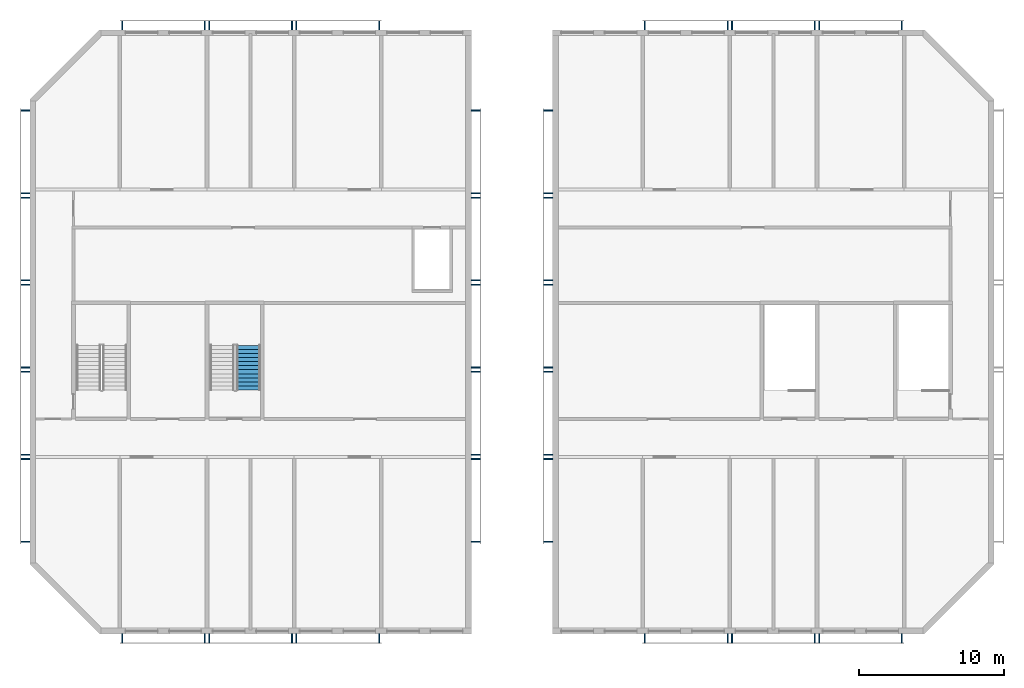
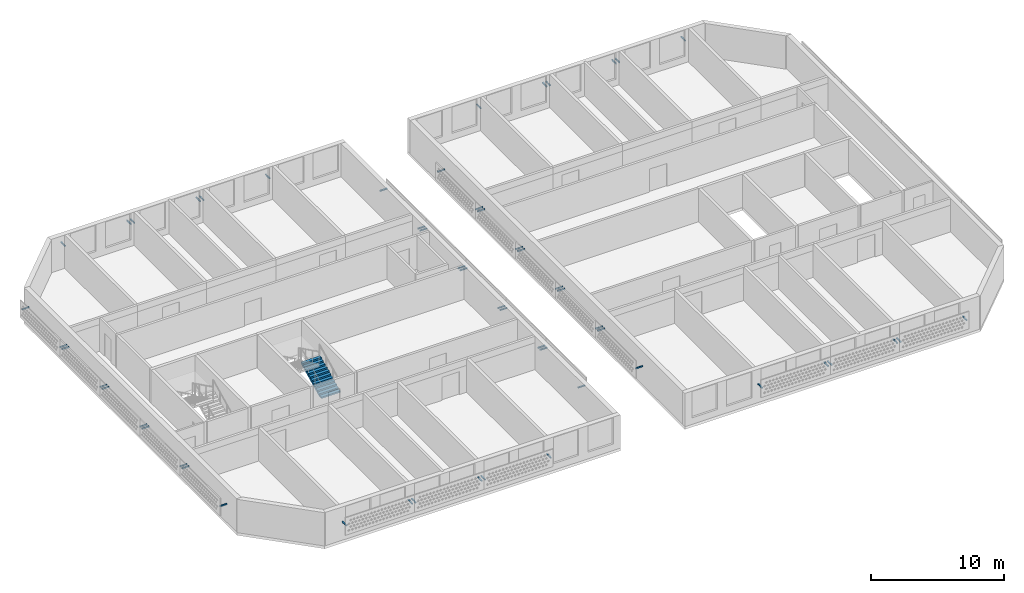
# One storey, part 5 of 16: 54 discrete accessories, 1 stair flight, 1 element without a shape of its own.
"""IFC4 building model written with IfcOpenShell, lengths in metres."""

from ifc_helpers import new_model, si_unit, direction, frame, origin, origin_2d, place, context, subcontext, project, spatial, polyline, rectangle, outline, extrude, source, transform, mapped, material, layer, layer_set, material_profile, profile_set, type_object, element, aggregate, save


model = new_model("IFC4")

# Units and contexts
model_context = context("Model", 3, precision=1e-05, world=origin(), true_north=direction((0.0, 1.0)))
body_context = subcontext(model_context, "Body", "Model", "MODEL_VIEW")
ifc_project = project(units=[si_unit("LENGTHUNIT", "METRE"), si_unit("AREAUNIT", "SQUARE_METRE"), si_unit("VOLUMEUNIT", "CUBIC_METRE"), si_unit("PLANEANGLEUNIT", "RADIAN"), si_unit("MASSUNIT", "GRAM", prefix="KILO")], contexts=[model_context])

# Site, building, storey
site_placement = place(None, origin())
site = spatial("IfcSite", under=ifc_project, at=site_placement, CompositionType="ELEMENT")
building_placement = place(site_placement, origin())
building = spatial("IfcBuilding", under=site, at=building_placement, Name="Poui Terraces", CompositionType="ELEMENT")
storey_placement = place(building_placement, frame((0.0, 0.0, 282.300048828125)))
storey = spatial("IfcBuildingStorey", under=building, at=storey_placement, Name="L78 CROWN", CompositionType="ELEMENT", Elevation=282.300048828125)

# Stair, stair flight
ifc_material_1 = material(Name="Concrete 50 MPa", Category="concrete")
stair_type = type_object("IfcStairType", Name="EXIT STAIR 1650 50 MPA", PredefinedType="HALF_TURN_STAIR", material=ifc_material_1)
stair_placement = place(storey_placement, origin())
stair = element("IfcStair", 1, at=stair_placement, inside=storey, type_object=stair_type, Name="L78 CROWN CORE STAIR WEST", PredefinedType="HALF_TURN_STAIR")
ifc_layer = layer(ifc_material_1, 0.14990234375)
ifc_layer_set = layer_set([ifc_layer], Name="Concrete 50 MPa")
stair_flight_type = type_object("IfcStairFlightType", Name="STAIR FLIGHT 12 RISERS 138 RISE 50 MPA", PredefinedType="STRAIGHT", material=ifc_layer_set)
stair_flight_placement = place(storey_placement, frame((32.85009765625, 16.60009765625, 0.0), z_axis=(0.0, 0.0, 1.0), x_axis=(0.0, 1.0, 0.0)))
stair_flight = element("IfcStairFlight", 2, at=stair_flight_placement, type_object=stair_flight_type, Name="ST-CW flight 1", NumberOfRisers=12, NumberOfTreads=11, PredefinedType="STRAIGHT", RiserHeight=0.1375, TreadLength=0.28, context=body_context, shape_type="SweptSolid", body=[
    extrude(outline(polyline([(0.0, 0.0), (0.0, 0.137451171875), (0.280029296875, 0.137451171875), (0.280029296875, 0.27490234375), (0.56005859375, 0.27490234375), (0.56005859375, 0.41259765625), (0.840087890625, 0.41259765625), (0.840087890625, 0.550048828125), (1.1201171875, 0.550048828125), (1.1201171875, 0.6875), (1.39990234375, 0.6875), (1.39990234375, 0.824951171875), (1.679931640625, 0.824951171875), (1.679931640625, 0.96240234375), (1.9599609375, 0.96240234375), (1.9599609375, 1.10009765625), (2.239990234375, 1.10009765625), (2.239990234375, 1.237548828125), (2.52001953125, 1.237548828125), (2.52001953125, 1.375), (2.800048828125, 1.375), (2.800048828125, 1.512451171875), (3.080078125, 1.512451171875), (3.080078125, 1.64990234375), (3.080078125, 1.345458984375), (0.340087890625, 0.0), (0.0, 0.0)])), frame((0.0, 0.824951171875, 0.0), z_axis=(0.0, -1.0, 0.0), x_axis=(1.0, 0.0, 0.0)), (0.0, 0.0, 1.0), 1.64990234375),
])
aggregate(stair, [stair_flight])

# Discrete accessories
ifc_material_2 = material(Name="Galvanised steel", Category="steel")
ifc_material_profile = material_profile(ifc_material_2, rectangle(XDim=0.080078125, YDim=0.080078125, at=origin_2d()), Name="SCREEN BRACKET 80")
ifc_profile_set = profile_set([ifc_material_profile], Name="Galvanised steel")
discrete_accessory_type = type_object("IfcDiscreteAccessoryType", Name="SCREEN BRACKET 80", PredefinedType="BRACKET", material=ifc_profile_set)
shared_shape = source(origin(), body_context, "Body", "SweptSolid", [
    extrude(rectangle(XDim=0.080078125, YDim=0.080078125, at=origin_2d()), origin(), (0.0, 0.0, 1.0), 0.60009765625),
])
for number, where, z_axis, x_axis, name in (
    (3, (24.14990234375, -0.199951171875, 1.699951171875), (0.0, -1.0, 0.0), (1.0, 0.0, 0.0), "SCREEN BRACKET"),
    (4, (29.85009765625, -0.199951171875, 1.699951171875), (0.0, -1.0, 0.0), (1.0, 0.0, 0.0), "SCREEN BRACKET"),
    (5, (30.14990234375, -0.199951171875, 1.699951171875), (0.0, -1.0, 0.0), (1.0, 0.0, 0.0), "SCREEN BRACKET"),
    (6, (35.85009765625, -0.199951171875, 1.699951171875), (0.0, -1.0, 0.0), (1.0, 0.0, 0.0), "SCREEN BRACKET"),
    (7, (36.14990234375, -0.199951171875, 1.699951171875), (0.0, -1.0, 0.0), (1.0, 0.0, 0.0), "SCREEN BRACKET"),
    (8, (41.85009765625, -0.199951171875, 1.699951171875), (0.0, -1.0, 0.0), (1.0, 0.0, 0.0), "SCREEN BRACKET"),
    (9, (48.199951171875, 6.14990234375, 1.699951171875), (1.0, 0.0, 0.0), (0.0, 1.0, 0.0), "SCREEN BRACKET"),
    (10, (48.199951171875, 11.85009765625, 1.699951171875), (1.0, 0.0, 0.0), (0.0, 1.0, 0.0), "SCREEN BRACKET"),
    (11, (48.199951171875, 12.14990234375, 1.699951171875), (1.0, 0.0, 0.0), (0.0, 1.0, 0.0), "SCREEN BRACKET"),
    (12, (48.199951171875, 17.85009765625, 1.699951171875), (1.0, 0.0, 0.0), (0.0, 1.0, 0.0), "SCREEN BRACKET"),
    (13, (48.199951171875, 18.14990234375, 1.699951171875), (1.0, 0.0, 0.0), (0.0, 1.0, 0.0), "SCREEN BRACKET"),
    (14, (48.199951171875, 23.85009765625, 1.699951171875), (1.0, 0.0, 0.0), (0.0, 1.0, 0.0), "SCREEN BRACKET"),
    (15, (48.199951171875, 24.14990234375, 1.699951171875), (1.0, 0.0, 0.0), (0.0, 1.0, 0.0), "SCREEN BRACKET"),
    (16, (48.199951171875, 29.85009765625, 1.699951171875), (1.0, 0.0, 0.0), (0.0, 1.0, 0.0), "SCREEN BRACKET"),
    (17, (48.199951171875, 30.14990234375, 1.699951171875), (1.0, 0.0, 0.0), (0.0, 1.0, 0.0), "SCREEN BRACKET"),
    (18, (48.199951171875, 35.85009765625, 1.699951171875), (1.0, 0.0, 0.0), (0.0, 1.0, 0.0), "SCREEN BRACKET"),
    (19, (29.85009765625, 41.39990234375, 1.699951171875), (0.0, 1.0, 0.0), (-1.0, 0.0, 0.0), "SCREEN BRACKET"),
    (20, (24.14990234375, 41.39990234375, 1.699951171875), (0.0, 1.0, 0.0), (-1.0, 0.0, 0.0), "SCREEN BRACKET"),
    (21, (35.85009765625, 41.39990234375, 1.699951171875), (0.0, 1.0, 0.0), (-1.0, 0.0, 0.0), "SCREEN BRACKET"),
    (22, (30.14990234375, 41.39990234375, 1.699951171875), (0.0, 1.0, 0.0), (-1.0, 0.0, 0.0), "SCREEN BRACKET"),
    (23, (41.85009765625, 41.39990234375, 1.699951171875), (0.0, 1.0, 0.0), (-1.0, 0.0, 0.0), "SCREEN BRACKET"),
    (24, (36.14990234375, 41.39990234375, 1.699951171875), (0.0, 1.0, 0.0), (-1.0, 0.0, 0.0), "SCREEN BRACKET"),
    (25, (17.800048828125, 11.85009765625, 1.699951171875), (-1.0, 0.0, 0.0), (0.0, -1.0, 0.0), "SCREEN BRACKET"),
    (26, (17.800048828125, 6.14990234375, 1.699951171875), (-1.0, 0.0, 0.0), (0.0, -1.0, 0.0), "SCREEN BRACKET"),
    (27, (17.800048828125, 17.85009765625, 1.699951171875), (-1.0, 0.0, 0.0), (0.0, -1.0, 0.0), "SCREEN BRACKET"),
    (28, (17.800048828125, 12.14990234375, 1.699951171875), (-1.0, 0.0, 0.0), (0.0, -1.0, 0.0), "SCREEN BRACKET"),
    (29, (17.800048828125, 23.85009765625, 1.699951171875), (-1.0, 0.0, 0.0), (0.0, -1.0, 0.0), "SCREEN BRACKET"),
    (30, (17.800048828125, 18.14990234375, 1.699951171875), (-1.0, 0.0, 0.0), (0.0, -1.0, 0.0), "SCREEN BRACKET"),
    (31, (17.800048828125, 29.85009765625, 1.699951171875), (-1.0, 0.0, 0.0), (0.0, -1.0, 0.0), "SCREEN BRACKET"),
    (32, (17.800048828125, 24.14990234375, 1.699951171875), (-1.0, 0.0, 0.0), (0.0, -1.0, 0.0), "SCREEN BRACKET"),
    (33, (17.800048828125, 35.85009765625, 1.699951171875), (-1.0, 0.0, 0.0), (0.0, -1.0, 0.0), "SCREEN BRACKET"),
    (34, (17.800048828125, 30.14990234375, 1.699951171875), (-1.0, 0.0, 0.0), (0.0, -1.0, 0.0), "SCREEN BRACKET"),
    (35, (60.14990234375, -0.199951171875, 1.699951171875), (0.0, -1.0, 0.0), (1.0, 0.0, 0.0), "SCREEN BRACKET"),
    (36, (65.85009765625, -0.199951171875, 1.699951171875), (0.0, -1.0, 0.0), (1.0, 0.0, 0.0), "SCREEN BRACKET"),
    (37, (66.14990234375, -0.199951171875, 1.699951171875), (0.0, -1.0, 0.0), (1.0, 0.0, 0.0), "SCREEN BRACKET"),
    (38, (71.85009765625, -0.199951171875, 1.699951171875), (0.0, -1.0, 0.0), (1.0, 0.0, 0.0), "SCREEN BRACKET"),
    (39, (72.14990234375, -0.199951171875, 1.699951171875), (0.0, -1.0, 0.0), (1.0, 0.0, 0.0), "SCREEN BRACKET"),
    (40, (77.85009765625, -0.199951171875, 1.699951171875), (0.0, -1.0, 0.0), (1.0, 0.0, 0.0), "SCREEN BRACKET"),
    (41, (65.85009765625, 41.39990234375, 1.699951171875), (0.0, 1.0, 0.0), (-1.0, 0.0, 0.0), "SCREEN BRACKET"),
    (42, (60.14990234375, 41.39990234375, 1.699951171875), (0.0, 1.0, 0.0), (-1.0, 0.0, 0.0), "SCREEN BRACKET"),
    (43, (71.85009765625, 41.39990234375, 1.699951171875), (0.0, 1.0, 0.0), (-1.0, 0.0, 0.0), "SCREEN BRACKET"),
    (44, (66.14990234375, 41.39990234375, 1.699951171875), (0.0, 1.0, 0.0), (-1.0, 0.0, 0.0), "SCREEN BRACKET"),
    (45, (77.85009765625, 41.39990234375, 1.699951171875), (0.0, 1.0, 0.0), (-1.0, 0.0, 0.0), "SCREEN BRACKET"),
    (46, (72.14990234375, 41.39990234375, 1.699951171875), (0.0, 1.0, 0.0), (-1.0, 0.0, 0.0), "SCREEN BRACKET"),
    (47, (53.800048828125, 11.85009765625, 1.699951171875), (-1.0, 0.0, 0.0), (0.0, -1.0, 0.0), "SCREEN BRACKET"),
    (48, (53.800048828125, 6.14990234375, 1.699951171875), (-1.0, 0.0, 0.0), (0.0, -1.0, 0.0), "SCREEN BRACKET"),
    (49, (53.800048828125, 17.85009765625, 1.699951171875), (-1.0, 0.0, 0.0), (0.0, -1.0, 0.0), "SCREEN BRACKET"),
    (50, (53.800048828125, 12.14990234375, 1.699951171875), (-1.0, 0.0, 0.0), (0.0, -1.0, 0.0), "SCREEN BRACKET"),
    (51, (53.800048828125, 23.85009765625, 1.699951171875), (-1.0, 0.0, 0.0), (0.0, -1.0, 0.0), "SCREEN BRACKET"),
    (52, (53.800048828125, 18.14990234375, 1.699951171875), (-1.0, 0.0, 0.0), (0.0, -1.0, 0.0), "SCREEN BRACKET"),
    (53, (53.800048828125, 29.85009765625, 1.699951171875), (-1.0, 0.0, 0.0), (0.0, -1.0, 0.0), "SCREEN BRACKET"),
    (54, (53.800048828125, 24.14990234375, 1.699951171875), (-1.0, 0.0, 0.0), (0.0, -1.0, 0.0), "SCREEN BRACKET"),
    (55, (53.800048828125, 35.85009765625, 1.699951171875), (-1.0, 0.0, 0.0), (0.0, -1.0, 0.0), "SCREEN BRACKET"),
    (56, (53.800048828125, 30.14990234375, 1.699951171875), (-1.0, 0.0, 0.0), (0.0, -1.0, 0.0), "SCREEN BRACKET"),
):
    element("IfcDiscreteAccessory", number, at=place(storey_placement, frame(where, z_axis=z_axis, x_axis=x_axis)), inside=storey, type_object=discrete_accessory_type, Name=name, PredefinedType="BRACKET", context=body_context, shape_type="MappedRepresentation", body=[
        mapped(shared_shape, transform((0.0, 0.0, 0.0))),
    ])

save(model, "model.ifc")
